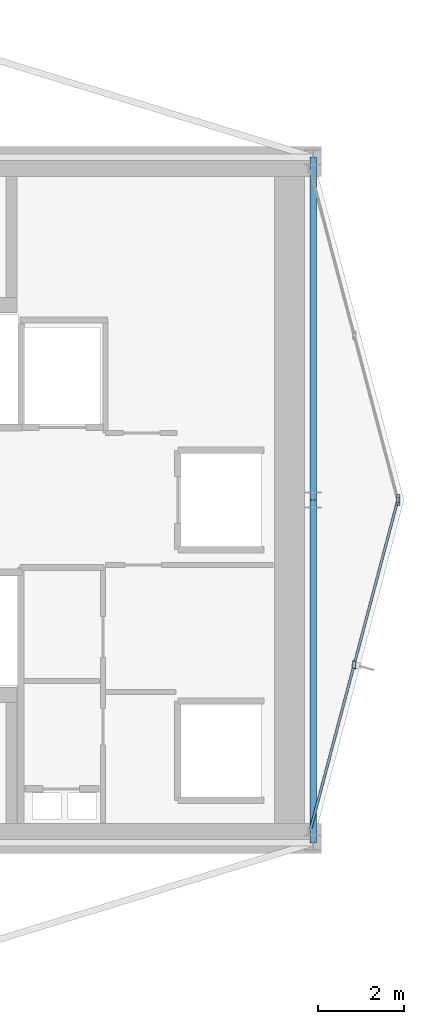
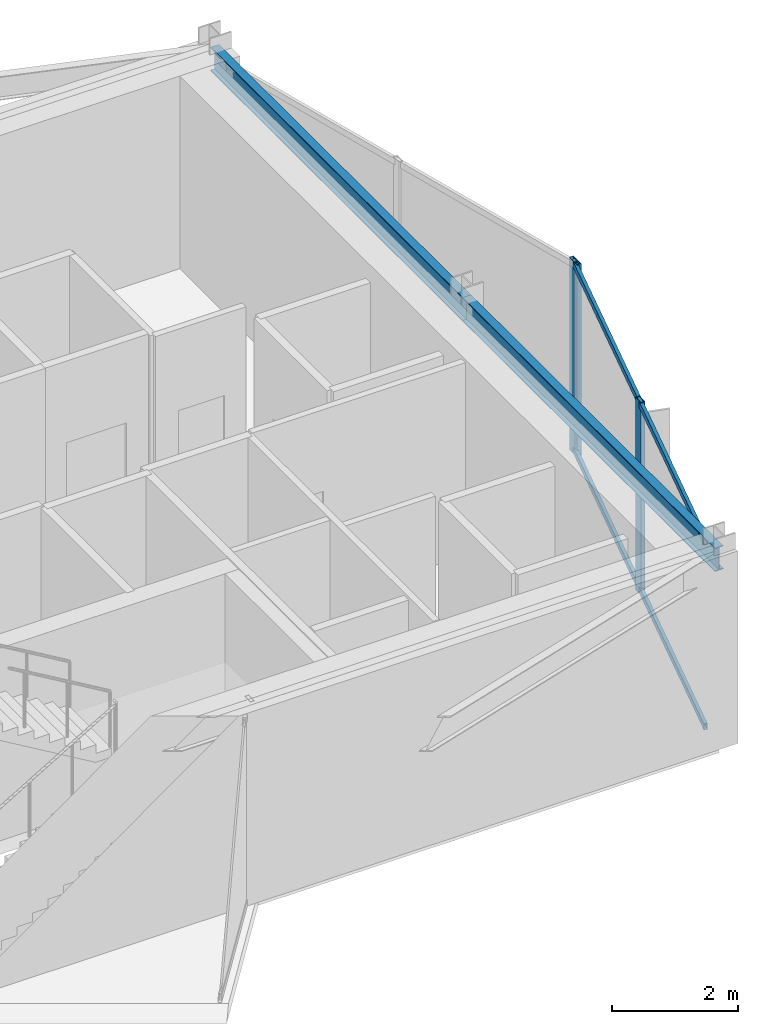
# One storey, part 15 of 23: 5 members, 2 beams, 2 elements without a shape of their own.
"""IFC4 building model written with IfcOpenShell, lengths in metres."""

import ifcopenshell
import ifcopenshell.guid

model = None  # the IFC model being written
_history = None  # IfcOwnerHistory: only IFC2X3 demands one
_inside = {}  # id of a spatial element -> (the spatial element, [elements in it])
_under = {}  # id of a project, library or spatial element -> (it, [spatial elements below it])
_declared = {}  # id of a project -> (the project, [libraries it declares])
_typed = {}  # id of a type object -> (the type object, [elements of that type])
_made_of = {}  # id of a material, layer set ... -> (it, [elements and type objects made of it])


def new_model(schema):
    """Start an empty IFC model of exactly this schema.

    Asked for "IFC4X3", IfcOpenShell would pick the latest addendum, in which some entities
    have other attributes; the version numbers below select the first issue.
    IFC2X3 requires an IfcOwnerHistory on every rooted entity: one is made here for all.
    """
    global model, _history
    if schema == "IFC4X3":
        model = ifcopenshell.file(schema_version=(4, 3, 0, 0))
    else:
        model = ifcopenshell.file(schema=schema)
    _inside.clear()
    _under.clear()
    _declared.clear()
    _typed.clear()
    _made_of.clear()
    _history = None
    if model.schema == "IFC2X3":
        org = make("IfcOrganization", Name="unknown")
        user = make(
            "IfcPersonAndOrganization",
            ThePerson=make("IfcPerson", FamilyName="unknown"),
            TheOrganization=org,
        )
        app = make(
            "IfcApplication",
            ApplicationDeveloper=org,
            Version="unknown",
            ApplicationFullName="unknown",
            ApplicationIdentifier="unknown",
        )
        _history = make(
            "IfcOwnerHistory",
            OwningUser=user,
            OwningApplication=app,
            ChangeAction="ADDED",
            CreationDate=0,
        )
    return model


def make(cls, **values):
    """One entity of the class cls with the attributes given. An attribute that is None is left unset."""
    return model.create_entity(
        cls, **{name: value for name, value in values.items() if value is not None}
    )


def rooted(cls, **values):
    """An entity with a GlobalId (a new one), such as an element, a storey or a relation."""
    return make(cls, GlobalId=ifcopenshell.guid.new(), OwnerHistory=_history, **values)


def si_unit(unit_type, name, prefix=None):
    """IfcSIUnit, for example si_unit("LENGTHUNIT", "METRE", prefix="MILLI")."""
    return make("IfcSIUnit", UnitType=unit_type, Prefix=prefix, Name=name)


def assignment(units):
    """IfcUnitAssignment: the units of a project."""
    return None if units is None else make("IfcUnitAssignment", Units=units)


def point(xyz):
    """IfcCartesianPoint."""
    return None if xyz is None else make("IfcCartesianPoint", Coordinates=xyz)


def direction(xyz):
    """IfcDirection."""
    return None if xyz is None else make("IfcDirection", DirectionRatios=xyz)


def frame(location, z_axis=None, x_axis=None):
    """IfcAxis2Placement3D, a coordinate frame: its origin and axes. An axis left out is left unset."""
    return make(
        "IfcAxis2Placement3D",
        Location=point(location),
        Axis=direction(z_axis),
        RefDirection=direction(x_axis),
    )


def frame_2d(location, x_axis=None):
    """IfcAxis2Placement2D, a coordinate frame in the plane: its origin and x axis."""
    return make(
        "IfcAxis2Placement2D", Location=point(location), RefDirection=direction(x_axis)
    )


def origin():
    """The frame at (0, 0, 0) with its axes left unset."""
    return frame((0.0, 0.0, 0.0))


def origin_2d():
    """The frame at (0, 0) in the plane with its x axis left unset."""
    return frame_2d((0.0, 0.0))


def place(relative_to, where):
    """IfcLocalPlacement: puts the frame where relative to a parent placement (None: the world)."""
    return make(
        "IfcLocalPlacement", PlacementRelTo=relative_to, RelativePlacement=where
    )


def context(
    kind, dimensions, precision=None, world=None, true_north=None, identifier=None
):
    """IfcGeometricRepresentationContext, for example the 3D "Model" context."""
    return make(
        "IfcGeometricRepresentationContext",
        ContextIdentifier=identifier,
        ContextType=kind,
        CoordinateSpaceDimension=dimensions,
        Precision=precision,
        WorldCoordinateSystem=world,
        TrueNorth=true_north,
    )


def subcontext(parent, identifier, kind, view, scale=None):
    """IfcGeometricRepresentationSubContext, for example "Body" below "Model"."""
    return make(
        "IfcGeometricRepresentationSubContext",
        ContextIdentifier=identifier,
        ContextType=kind,
        ParentContext=parent,
        TargetScale=scale,
        TargetView=view,
    )


def project(units=None, contexts=None):
    """IfcProject with its units and contexts."""
    return rooted(
        "IfcProject",
        Name="project",
        RepresentationContexts=contexts,
        UnitsInContext=assignment(units),
    )


def spatial(cls, under=None, at=None, **own):
    """A site, building, storey or space (cls), placed at a placement, below another one or the project."""
    s = rooted(cls, ObjectPlacement=at, **own)
    if under is not None:
        _under.setdefault(under.id(), (under, []))[1].append(s)
    return s


def profile(cls, at=None, kind="AREA", **sizes):
    """A parametric profile (cls). Its sizes go by their IFC names, for example OverallWidth=200.0."""
    return make(cls, ProfileType=kind, Position=at, **sizes)


def hollow_rectangle(**sizes):
    """IfcRectangleHollowProfileDef."""
    return profile("IfcRectangleHollowProfileDef", **sizes)


def i_section(**sizes):
    """IfcIShapeProfileDef."""
    return profile("IfcIShapeProfileDef", **sizes)


def extrude(swept, where, along, depth):
    """IfcExtrudedAreaSolid: the profile swept, set in the frame where, extruded along a direction by depth."""
    return make(
        "IfcExtrudedAreaSolid",
        SweptArea=swept,
        Position=where,
        ExtrudedDirection=direction(along),
        Depth=depth,
    )


def shape(context_of_items, identifier, shape_type, items):
    """IfcShapeRepresentation: the items that make up one representation, for example the "Body"."""
    return make(
        "IfcShapeRepresentation",
        ContextOfItems=context_of_items,
        RepresentationIdentifier=identifier,
        RepresentationType=shape_type,
        Items=items,
    )


def material(Name=None, Category=None):
    """IfcMaterial."""
    return make("IfcMaterial", Name=Name, Category=Category)


def layer(
    of_material, thickness, ventilated=None, Name=None, Category=None, Priority=None
):
    """IfcMaterialLayer: one layer of a wall or slab, of a material (None: an air gap)."""
    return make(
        "IfcMaterialLayer",
        Material=of_material,
        LayerThickness=thickness,
        IsVentilated=ventilated,
        Name=Name,
        Category=Category,
        Priority=Priority,
    )


def layer_set(layers, Name=None):
    """IfcMaterialLayerSet."""
    return make("IfcMaterialLayerSet", MaterialLayers=layers, LayerSetName=Name)


def material_profile(
    of_material, cross_section, Name=None, Category=None, Priority=None
):
    """IfcMaterialProfile: a cross section and its material."""
    return make(
        "IfcMaterialProfile",
        Name=Name,
        Material=of_material,
        Profile=cross_section,
        Priority=Priority,
        Category=Category,
    )


def profile_set(profiles, Name=None, composite=None):
    """IfcMaterialProfileSet."""
    return make(
        "IfcMaterialProfileSet",
        Name=Name,
        MaterialProfiles=profiles,
        CompositeProfile=composite,
    )


def made_of(thing, what):
    """Note that an element or type object is made of a material, layer set ...; save() writes the relation."""
    if what is not None:
        _made_of.setdefault(what.id(), (what, []))[1].append(thing)
    return thing


def type_object(cls, material=None, **own):
    """A type object (cls), such as IfcWallType, which elements share."""
    return made_of(rooted(cls, **own), material)


def element(
    cls,
    number,
    at=None,
    inside=None,
    cuts=None,
    type_object=None,
    material=None,
    context=None,
    identifier="Body",
    shape_type=None,
    held_by="IfcProductDefinitionShape",
    body=None,
    shapes=None,
    **own,
):
    """One element of the class cls, such as IfcWall. Its Tag is "e" and its number.

    at: its placement. inside: the storey or other place that contains it. cuts: it is an
    opening in that element (IfcRelVoidsElement). A single representation is given by context,
    identifier, shape_type and body (its items); several are given by shapes. held_by: the class
    of the entity that holds the representations. save() writes the other relations.
    """
    e = rooted(cls, Tag="e%d" % number, ObjectPlacement=at, **own)
    if body is not None:
        shapes = [shape(context, identifier, shape_type, body)]
    if shapes is not None:
        e.Representation = make(held_by, Representations=shapes)
    if inside is not None:
        _inside.setdefault(inside.id(), (inside, []))[1].append(e)
    if cuts is not None:
        rooted(
            "IfcRelVoidsElement", RelatingBuildingElement=cuts, RelatedOpeningElement=e
        )
    if type_object is not None:
        _typed.setdefault(type_object.id(), (type_object, []))[1].append(e)
    return made_of(e, material)


def aggregate(whole, parts):
    """IfcRelAggregates: a whole, such as a stair, and the parts it consists of."""
    return rooted("IfcRelAggregates", RelatingObject=whole, RelatedObjects=parts)


def save(model, path):
    """Write the relations noted so far, then the file.

    IfcRelAggregates (storeys below a building ...), IfcRelContainedInSpatialStructure (elements
    in a storey), IfcRelDefinesByType, IfcRelAssociatesMaterial and IfcRelDeclares: one each for
    every whole, place, type object, material and project.
    """
    for whole, parts in _under.values():
        aggregate(whole, parts)
    for where, things in _inside.values():
        rooted(
            "IfcRelContainedInSpatialStructure",
            RelatedElements=things,
            RelatingStructure=where,
        )
    for kind, things in _typed.values():
        rooted("IfcRelDefinesByType", RelatedObjects=things, RelatingType=kind)
    for what, things in _made_of.values():
        rooted("IfcRelAssociatesMaterial", RelatedObjects=things, RelatingMaterial=what)
    for by, libraries in _declared.values():
        rooted("IfcRelDeclares", RelatingContext=by, RelatedDefinitions=libraries)
    model.write(path)


model = new_model("IFC4")

# Units and contexts
model_context = context("Model", 3, precision=1e-05, world=origin(), true_north=direction((0.0, 1.0)))
body_context = subcontext(model_context, "Body", "Model", "MODEL_VIEW")
ifc_project = project(units=[si_unit("LENGTHUNIT", "METRE"), si_unit("AREAUNIT", "SQUARE_METRE"), si_unit("VOLUMEUNIT", "CUBIC_METRE"), si_unit("PLANEANGLEUNIT", "RADIAN"), si_unit("MASSUNIT", "GRAM", prefix="KILO")], contexts=[model_context])

# Site, building, storey
site_placement = place(None, origin())
site = spatial("IfcSite", under=ifc_project, at=site_placement, CompositionType="ELEMENT")
building_placement = place(site_placement, origin())
building = spatial("IfcBuilding", under=site, at=building_placement, Name="Veymaron Broadcast Tower", CompositionType="ELEMENT")
storey_placement = place(building_placement, frame((0.0, 0.0, 252.60009765625)))
storey = spatial("IfcBuildingStorey", under=building, at=storey_placement, Name="L59", CompositionType="ELEMENT", Elevation=252.60009765625)

# Beams
ifc_material_1 = material(Name="Structural steel ASTM A992 Gr 50", Category="steel")
ifc_material_profile_1 = material_profile(ifc_material_1, i_section(OverallWidth=0.154052734375, OverallDepth=0.458984375, WebThickness=0.009033203125, FlangeThickness=0.015380859375, at=origin_2d()), Name="W460X68")
ifc_profile_set_1 = profile_set([ifc_material_profile_1], Name="Structural steel ASTM A992 Gr 50")
beam_type = type_object("IfcBeamType", Name="BM-SP2", PredefinedType="SPANDREL", material=ifc_profile_set_1)
for number, where, z_axis, x_axis, name in (
    (1, (54.60009765625, 16.0, 3.50048828125), (0.0, 1.0, 0.0), (-1.0, 0.0, 0.0), "L59 primary structural floor girder"),
    (2, (54.60009765625, 24.0, 3.50048828125), (0.0, 1.0, 0.0), (-1.0, 0.0, 0.0), "L59 primary structural floor girder"),
):
    element("IfcBeam", number, at=place(storey_placement, frame(where, z_axis=z_axis, x_axis=x_axis)), inside=storey, type_object=beam_type, Name=name, PredefinedType="SPANDREL", context=body_context, shape_type="SweptSolid", body=[
        extrude(i_section(OverallWidth=0.154052734375, OverallDepth=0.458984375, WebThickness=0.009033203125, FlangeThickness=0.015380859375, at=origin_2d()), origin(), (0.0, 0.0, 1.0), 8.0),
    ])

# Curtain wall, members
ifc_material_2 = material(Name="Anodised aluminium AA 6063-T6 and laminated low-E dark glass", Category="aluminium")
ifc_layer = layer(ifc_material_2, 0.179931640625)
ifc_layer_set = layer_set([ifc_layer], Name="Anodised aluminium AA 6063-T6 and laminated low-E dark glass")
curtain_wall_type = type_object("IfcCurtainWallType", Name="CW-SYS-05", PredefinedType="NOTDEFINED", material=ifc_layer_set)
curtain_wall_1_placement = place(storey_placement, origin())
curtain_wall_1 = element("IfcCurtainWall", 3, at=curtain_wall_1_placement, inside=storey, type_object=curtain_wall_type, Name="L59 dark-glass curtain wall CW-L59-E2-1", PredefinedType="NOTDEFINED")
ifc_material_3 = material(Name="Anodised aluminium AA 6063-T6", Category="aluminium")
ifc_material_profile_2 = material_profile(ifc_material_3, hollow_rectangle(XDim=0.074951171875, YDim=0.179931640625, WallThickness=0.0048828125, at=origin_2d()), Name="AL180X75X5")
ifc_profile_set_2 = profile_set([ifc_material_profile_2], Name="Anodised aluminium AA 6063-T6")
member_type_1 = type_object("IfcMemberType", Name="CW-MUL-02", PredefinedType="MULLION", material=ifc_profile_set_2)
member_1_placement = place(storey_placement, frame((55.55712890625, 20.156494140625, 0.0), z_axis=(0.0, 0.0, 1.0), x_axis=(1.0, 0.0, 0.0)))
member_1 = element("IfcMember", 4, at=member_1_placement, type_object=member_type_1, Name="CW-L59-E2-1 mullion 1", PredefinedType="MULLION", context=body_context, shape_type="SweptSolid", body=[
    extrude(hollow_rectangle(XDim=0.074951171875, YDim=0.179931640625, WallThickness=0.0048828125, at=origin_2d()), origin(), (0.0, 0.0, 1.0), 3.72998046875),
])
member_2_placement = place(storey_placement, frame((56.585693359375, 24.035888671875, 0.0), z_axis=(0.0, 0.0, 1.0), x_axis=(1.0, 0.0, 0.0)))
member_2 = element("IfcMember", 5, at=member_2_placement, type_object=member_type_1, Name="CW-L59-E2-1 mullion 2", PredefinedType="MULLION", context=body_context, shape_type="SweptSolid", body=[
    extrude(hollow_rectangle(XDim=0.074951171875, YDim=0.179931640625, WallThickness=0.0048828125, at=origin_2d()), origin(), (0.0, 0.0, 1.0), 3.72998046875),
])

# Curtain wall, member
curtain_wall_2_placement = place(storey_placement, origin())
curtain_wall_2 = element("IfcCurtainWall", 6, at=curtain_wall_2_placement, inside=storey, type_object=curtain_wall_type, Name="L59 dark-glass curtain wall CW-L59-E3-1", PredefinedType="NOTDEFINED")
member_3_placement = place(storey_placement, frame((56.585693359375, 23.964111328125, 0.0), z_axis=(0.0, 0.0, 1.0), x_axis=(1.0, 0.0, 0.0)))
member_3 = element("IfcMember", 7, at=member_3_placement, type_object=member_type_1, Name="CW-L59-E3-1 mullion 0", PredefinedType="MULLION", context=body_context, shape_type="SweptSolid", body=[
    extrude(hollow_rectangle(XDim=0.074951171875, YDim=0.179931640625, WallThickness=0.0048828125, at=origin_2d()), origin(), (0.0, 0.0, 1.0), 3.72998046875),
])
aggregate(curtain_wall_2, [member_3])

# Member
ifc_material_profile_3 = material_profile(ifc_material_3, hollow_rectangle(XDim=0.06005859375, YDim=0.1201171875, WallThickness=0.00390625, at=origin_2d()), Name="AL120X60X4")
ifc_profile_set_3 = profile_set([ifc_material_profile_3], Name="Anodised aluminium AA 6063-T6")
member_type_2 = type_object("IfcMemberType", Name="CW-TRN-02", PredefinedType="USERDEFINED", material=ifc_profile_set_3)
member_4_placement = place(storey_placement, frame((54.54150390625, 16.32568359375, 0.06982421875), z_axis=(0.256287886106, 0.966600496294, 0.0), x_axis=(-0.966600496294, 0.256287886106, 0.0)))
member_4 = element("IfcMember", 8, at=member_4_placement, type_object=member_type_2, Name="CW-L59-E2-1 transom B", ObjectType="TRANSOM", PredefinedType="USERDEFINED", context=body_context, shape_type="SweptSolid", body=[
    extrude(hollow_rectangle(XDim=0.06005859375, YDim=0.1201171875, WallThickness=0.00390625, at=origin_2d()), origin(), (0.0, 0.0, 1.0), 7.926513671875),
])

member_5_placement = place(storey_placement, frame((54.54150390625, 16.32568359375, 3.659912109375), z_axis=(0.256287886106, 0.966600496294, 0.0), x_axis=(-0.966600496294, 0.256287886106, 0.0)))
member_5 = element("IfcMember", 9, at=member_5_placement, type_object=member_type_2, Name="CW-L59-E2-1 transom T", ObjectType="TRANSOM", PredefinedType="USERDEFINED", context=body_context, shape_type="SweptSolid", body=[
    extrude(hollow_rectangle(XDim=0.06005859375, YDim=0.1201171875, WallThickness=0.00390625, at=origin_2d()), origin(), (0.0, 0.0, 1.0), 7.926513671875),
])

aggregate(curtain_wall_1, [member_1, member_2, member_4, member_5])

save(model, "model.ifc")
